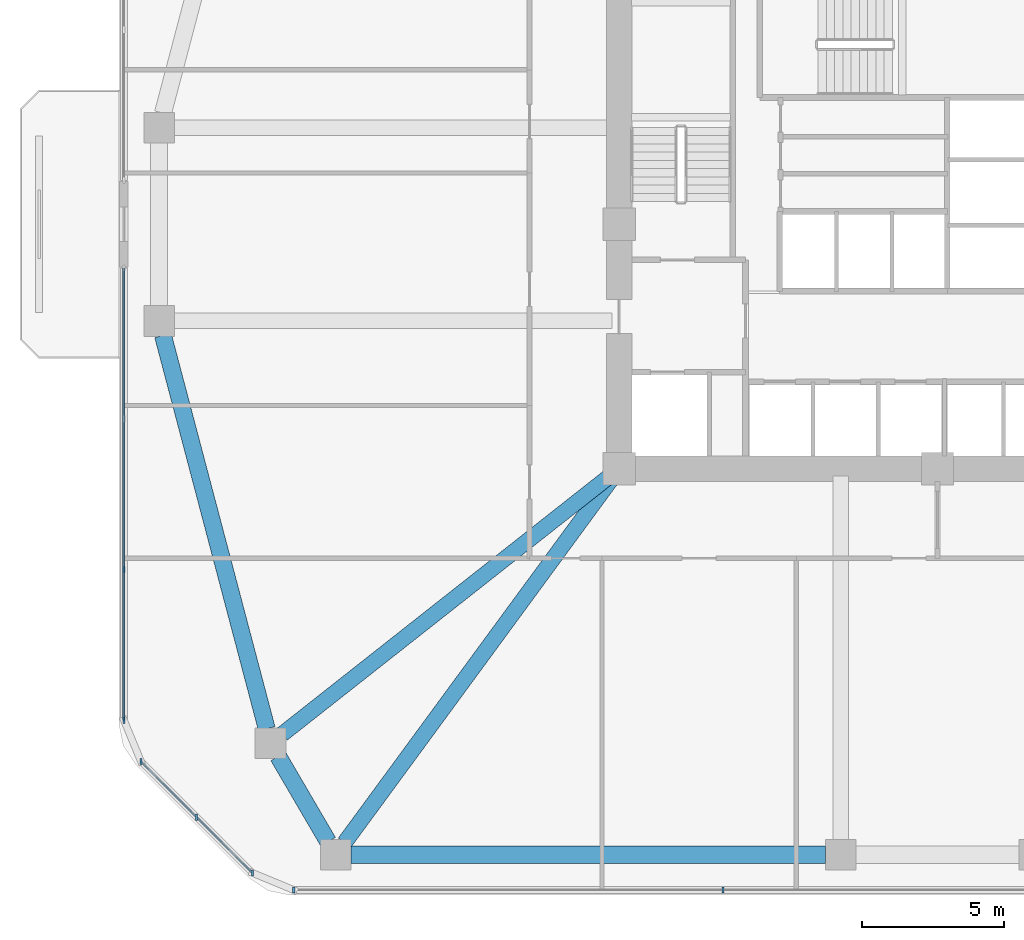
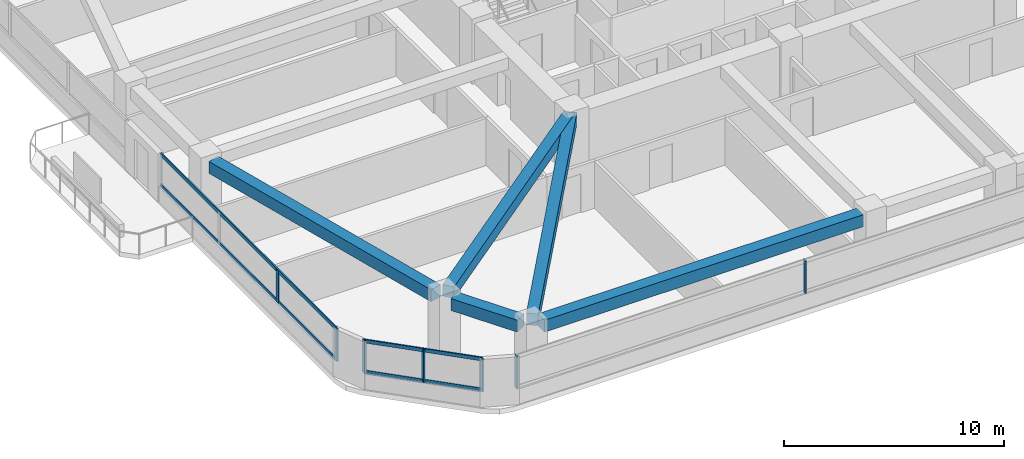
# One storey, part 2 of 15: 11 members, 5 beams, 3 elements without a shape of their own.
"""IFC4 building model written with IfcOpenShell, lengths in metres."""

from ifc_helpers import new_model, si_unit, derived_unit, direction, frame, origin, origin_2d, place, context, subcontext, project, spatial, rectangle, extrude, material, material_profile, profile_set, type_object, element, aggregate, save


model = new_model("IFC4")

# Units and contexts
model_context = context("Model", 3, precision=1e-05, world=origin(), true_north=direction((0.0, 1.0)))
body_context = subcontext(model_context, "Body", "Model", "MODEL_VIEW")
ifc_project = project(units=[si_unit("LENGTHUNIT", "METRE"), si_unit("AREAUNIT", "SQUARE_METRE"), si_unit("VOLUMEUNIT", "CUBIC_METRE"), si_unit("PLANEANGLEUNIT", "RADIAN"), si_unit("MASSUNIT", "GRAM", prefix="KILO"), derived_unit("THERMALTRANSMITTANCEUNIT", [(si_unit("POWERUNIT", "WATT"), 1), (si_unit("LENGTHUNIT", "METRE"), -2), (si_unit("THERMODYNAMICTEMPERATUREUNIT", "KELVIN"), -1)])], contexts=[model_context])

# Site, building, storey
site_placement = place(None, origin())
site = spatial("IfcSite", under=ifc_project, at=site_placement, CompositionType="ELEMENT")
building_placement = place(site_placement, origin())
building = spatial("IfcBuilding", under=site, at=building_placement, Name="Koralith Skygarden Medical Center", CompositionType="ELEMENT")
storey_placement = place(building_placement, frame((0.0, 0.0, 41.93994140625)))
storey = spatial("IfcBuildingStorey", under=building, at=storey_placement, Name="L10", CompositionType="ELEMENT", Elevation=41.93994140625)

# Curtain wall, members
ifc_material_1 = material(Name="Clear Laminated Glass", Category="glass")
curtain_wall_type = type_object("IfcCurtainWallType", Name="CW-2 Zone 1 Hurricane Unitised Curtain Wall", PredefinedType="NOTDEFINED", material=ifc_material_1)
curtain_wall_1_placement = place(storey_placement, origin())
curtain_wall_1 = element("IfcCurtainWall", 1, at=curtain_wall_1_placement, inside=storey, type_object=curtain_wall_type, Name="Curtain Wall CW-L10-S", PredefinedType="NOTDEFINED")
ifc_material_2 = material(Name="Aluminium 6063-T6", Category="aluminium")
ifc_material_profile_1 = material_profile(ifc_material_2, rectangle(XDim=0.071044921875, YDim=0.219970703125, at=origin_2d()), Name="MUL71X220")
ifc_profile_set_1 = profile_set([ifc_material_profile_1], Name="Aluminium 6063-T6")
member_type_1 = type_object("IfcMemberType", Name="CW-2 Extruded Mullion 71x220", PredefinedType="MULLION", material=ifc_profile_set_1)
member_1_placement = place(storey_placement, frame((14.35498046875, 2.47998046875, 0.85009765625), z_axis=(0.0, 0.0, 1.0), x_axis=(1.0, 0.0, 0.0)))
member_1 = element("IfcMember", 2, at=member_1_placement, type_object=member_type_1, Name="CW-L10-S Mullion 1", PredefinedType="MULLION", context=body_context, shape_type="SweptSolid", body=[
    extrude(rectangle(XDim=0.071044921875, YDim=0.219970703125, at=origin_2d()), origin(), (0.0, 0.0, 1.0), 1.800048828125),
])
member_2_placement = place(storey_placement, frame((29.451904296875, 2.47998046875, 0.85009765625), z_axis=(0.0, 0.0, 1.0), x_axis=(1.0, 0.0, 0.0)))
member_2 = element("IfcMember", 3, at=member_2_placement, type_object=member_type_1, Name="CW-L10-S Mullion 2", PredefinedType="MULLION", context=body_context, shape_type="SweptSolid", body=[
    extrude(rectangle(XDim=0.071044921875, YDim=0.219970703125, at=origin_2d()), origin(), (0.0, 0.0, 1.0), 1.800048828125),
])
aggregate(curtain_wall_1, [member_1, member_2])

curtain_wall_2_placement = place(storey_placement, origin())
curtain_wall_2 = element("IfcCurtainWall", 4, at=curtain_wall_2_placement, inside=storey, type_object=curtain_wall_type, Name="Curtain Wall CW-L10-W-R", PredefinedType="NOTDEFINED")
member_3_placement = place(storey_placement, frame((8.3798828125, 13.757080078125, 0.85009765625), z_axis=(0.0, 0.0, 1.0), x_axis=(1.0, 0.0, 0.0)))
member_3 = element("IfcMember", 5, at=member_3_placement, type_object=member_type_1, Name="CW-L10-W-R Mullion 3", PredefinedType="MULLION", context=body_context, shape_type="SweptSolid", body=[
    extrude(rectangle(XDim=0.071044921875, YDim=0.219970703125, at=origin_2d()), origin(), (0.0, 0.0, 1.0), 1.800048828125),
])
member_4_placement = place(storey_placement, frame((8.3798828125, 8.455078125, 0.85009765625), z_axis=(0.0, 0.0, 1.0), x_axis=(1.0, 0.0, 0.0)))
member_4 = element("IfcMember", 6, at=member_4_placement, type_object=member_type_1, Name="CW-L10-W-R Mullion 4", PredefinedType="MULLION", context=body_context, shape_type="SweptSolid", body=[
    extrude(rectangle(XDim=0.071044921875, YDim=0.219970703125, at=origin_2d()), origin(), (0.0, 0.0, 1.0), 1.800048828125),
])

curtain_wall_3_placement = place(storey_placement, origin())
curtain_wall_3 = element("IfcCurtainWall", 7, at=curtain_wall_3_placement, inside=storey, type_object=curtain_wall_type, Name="Curtain Wall CW-L10-SW", PredefinedType="NOTDEFINED")
member_5_placement = place(storey_placement, frame((8.98095703125, 7.00390625, 0.85009765625), z_axis=(0.0, 0.0, 1.0), x_axis=(1.0, 0.0, 0.0)))
member_5 = element("IfcMember", 8, at=member_5_placement, type_object=member_type_1, Name="CW-L10-SW Mullion 1", PredefinedType="MULLION", context=body_context, shape_type="SweptSolid", body=[
    extrude(rectangle(XDim=0.071044921875, YDim=0.219970703125, at=origin_2d()), origin(), (0.0, 0.0, 1.0), 1.800048828125),
])
member_6_placement = place(storey_placement, frame((10.94189453125, 5.04296875, 0.85009765625), z_axis=(0.0, 0.0, 1.0), x_axis=(1.0, 0.0, 0.0)))
member_6 = element("IfcMember", 9, at=member_6_placement, type_object=member_type_1, Name="CW-L10-SW Mullion 2", PredefinedType="MULLION", context=body_context, shape_type="SweptSolid", body=[
    extrude(rectangle(XDim=0.071044921875, YDim=0.219970703125, at=origin_2d()), origin(), (0.0, 0.0, 1.0), 1.800048828125),
])
member_7_placement = place(storey_placement, frame((12.904052734375, 3.0810546875, 0.85009765625), z_axis=(0.0, 0.0, 1.0), x_axis=(1.0, 0.0, 0.0)))
member_7 = element("IfcMember", 10, at=member_7_placement, type_object=member_type_1, Name="CW-L10-SW Mullion 3", PredefinedType="MULLION", context=body_context, shape_type="SweptSolid", body=[
    extrude(rectangle(XDim=0.071044921875, YDim=0.219970703125, at=origin_2d()), origin(), (0.0, 0.0, 1.0), 1.800048828125),
])

# Member
ifc_material_profile_2 = material_profile(ifc_material_2, rectangle(XDim=0.06591796875, YDim=0.197998046875, at=origin_2d()), Name="TRN66X198")
ifc_profile_set_2 = profile_set([ifc_material_profile_2], Name="Aluminium 6063-T6")
member_type_2 = type_object("IfcMemberType", Name="CW-2 Thermal Transom 66x198", PredefinedType="USERDEFINED", material=ifc_profile_set_2)
member_8_placement = place(storey_placement, frame((8.3798828125, 24.360107421875, 0.900146484375), z_axis=(0.0, -1.0, 0.0), x_axis=(1.0, 0.0, 0.0)))
member_8 = element("IfcMember", 11, at=member_8_placement, type_object=member_type_2, Name="CW-L10-W-R Transom 1", ObjectType="TRANSOM", PredefinedType="USERDEFINED", context=body_context, shape_type="SweptSolid", body=[
    extrude(rectangle(XDim=0.06591796875, YDim=0.197998046875, at=origin_2d()), origin(), (0.0, 0.0, 1.0), 15.905029296875),
])

member_9_placement = place(storey_placement, frame((8.3798828125, 24.360107421875, 2.60009765625), z_axis=(0.0, -1.0, 0.0), x_axis=(1.0, 0.0, 0.0)))
member_9 = element("IfcMember", 12, at=member_9_placement, type_object=member_type_2, Name="CW-L10-W-R Transom 2", ObjectType="TRANSOM", PredefinedType="USERDEFINED", context=body_context, shape_type="SweptSolid", body=[
    extrude(rectangle(XDim=0.06591796875, YDim=0.197998046875, at=origin_2d()), origin(), (0.0, 0.0, 1.0), 15.905029296875),
])

aggregate(curtain_wall_2, [member_3, member_4, member_8, member_9])

member_10_placement = place(storey_placement, frame((8.98095703125, 7.00390625, 0.900146484375), z_axis=(0.707128783731, -0.707084777957, 0.0), x_axis=(0.707084777957, 0.707128783731, 0.0)))
member_10 = element("IfcMember", 13, at=member_10_placement, type_object=member_type_2, Name="CW-L10-SW Transom 1", ObjectType="TRANSOM", PredefinedType="USERDEFINED", context=body_context, shape_type="SweptSolid", body=[
    extrude(rectangle(XDim=0.06591796875, YDim=0.197998046875, at=origin_2d()), origin(), (0.0, 0.0, 1.0), 5.5478515625),
])

member_11_placement = place(storey_placement, frame((8.98095703125, 7.00390625, 2.60009765625), z_axis=(0.707128783731, -0.707084777957, 0.0), x_axis=(0.707084777957, 0.707128783731, 0.0)))
member_11 = element("IfcMember", 14, at=member_11_placement, type_object=member_type_2, Name="CW-L10-SW Transom 2", ObjectType="TRANSOM", PredefinedType="USERDEFINED", context=body_context, shape_type="SweptSolid", body=[
    extrude(rectangle(XDim=0.06591796875, YDim=0.197998046875, at=origin_2d()), origin(), (0.0, 0.0, 1.0), 5.5478515625),
])

aggregate(curtain_wall_3, [member_5, member_6, member_7, member_10, member_11])

# Beams
ifc_material_3 = material(Name="Concrete C45/55", Category="concrete")
ifc_material_profile_3 = material_profile(ifc_material_3, rectangle(XDim=0.550048828125, YDim=0.639892578125, at=origin_2d()), Name="RCB550X640")
ifc_profile_set_3 = profile_set([ifc_material_profile_3], Name="Concrete C45/55")
beam_type_1 = type_object("IfcBeamType", Name="Radial Collector Beam RCB550X640", PredefinedType="BEAM", material=ifc_profile_set_3)
beam_1_placement = place(storey_placement, frame((25.60400390625, 17.14501953125, 3.0), z_axis=(-0.785497250365, -0.618865146594, 0.0), x_axis=(0.618865146594, -0.785497250365, 0.0)))
element("IfcBeam", 15, at=beam_1_placement, inside=storey, type_object=beam_type_1, Name="L10 Radial Collector Beam RB-02", PredefinedType="BEAM", context=body_context, shape_type="SweptSolid", body=[
    extrude(rectangle(XDim=0.550048828125, YDim=0.639892578125, at=origin_2d()), origin(), (0.0, 0.0, 1.0), 14.828857421875),
])
beam_2_placement = place(storey_placement, frame((25.652099609375, 17.097900390625, 3.0), z_axis=(-0.591718052249, -0.806144991079, 0.0), x_axis=(0.806144991079, -0.591718052249, 0.0)))
element("IfcBeam", 16, at=beam_2_placement, inside=storey, type_object=beam_type_1, Name="L10 Radial Collector Beam RB-03", PredefinedType="BEAM", context=body_context, shape_type="SweptSolid", body=[
    extrude(rectangle(XDim=0.550048828125, YDim=0.639892578125, at=origin_2d()), origin(), (0.0, 0.0, 1.0), 16.065185546875),
])
ifc_material_profile_4 = material_profile(ifc_material_3, rectangle(XDim=0.60009765625, YDim=0.659912109375, at=origin_2d()), Name="RCB600X660")
ifc_profile_set_4 = profile_set([ifc_material_profile_4], Name="Concrete C45/55")
beam_type_2 = type_object("IfcBeamType", Name="Zone 1 Spandrel Beam RCB600X660", PredefinedType="SPANDREL", material=ifc_profile_set_4)
beam_3_placement = place(storey_placement, frame((9.7548828125, 21.988037109375, 2.989990234375), z_axis=(0.255088684842, -0.966917660851, 0.0), x_axis=(0.966917660851, 0.255088684842, 0.0)))
element("IfcBeam", 17, at=beam_3_placement, inside=storey, type_object=beam_type_2, Name="L10 Perimeter Spandrel Beam SP-01", PredefinedType="SPANDREL", context=body_context, shape_type="SweptSolid", body=[
    extrude(rectangle(XDim=0.60009765625, YDim=0.659912109375, at=origin_2d()), origin(), (0.0, 0.0, 1.0), 14.309326171875),
])
beam_4_placement = place(storey_placement, frame((13.80810546875, 7.181884765625, 2.989990234375), z_axis=(0.504638660636, -0.863330656349, 0.0), x_axis=(0.863330656349, 0.504638660636, 0.0)))
element("IfcBeam", 18, at=beam_4_placement, inside=storey, type_object=beam_type_2, Name="L10 Perimeter Spandrel Beam SP-02", PredefinedType="SPANDREL", context=body_context, shape_type="SweptSolid", body=[
    extrude(rectangle(XDim=0.60009765625, YDim=0.659912109375, at=origin_2d()), origin(), (0.0, 0.0, 1.0), 3.4794921875),
])
beam_5_placement = place(storey_placement, frame((16.362060546875, 3.719970703125, 2.989990234375), z_axis=(1.0, 0.0, 0.0), x_axis=(0.0, 1.0, 0.0)))
element("IfcBeam", 19, at=beam_5_placement, inside=storey, type_object=beam_type_2, Name="L10 Perimeter Spandrel Beam SP-03", PredefinedType="SPANDREL", context=body_context, shape_type="SweptSolid", body=[
    extrude(rectangle(XDim=0.60009765625, YDim=0.659912109375, at=origin_2d()), origin(), (0.0, 0.0, 1.0), 16.7080078125),
])

save(model, "model.ifc")
